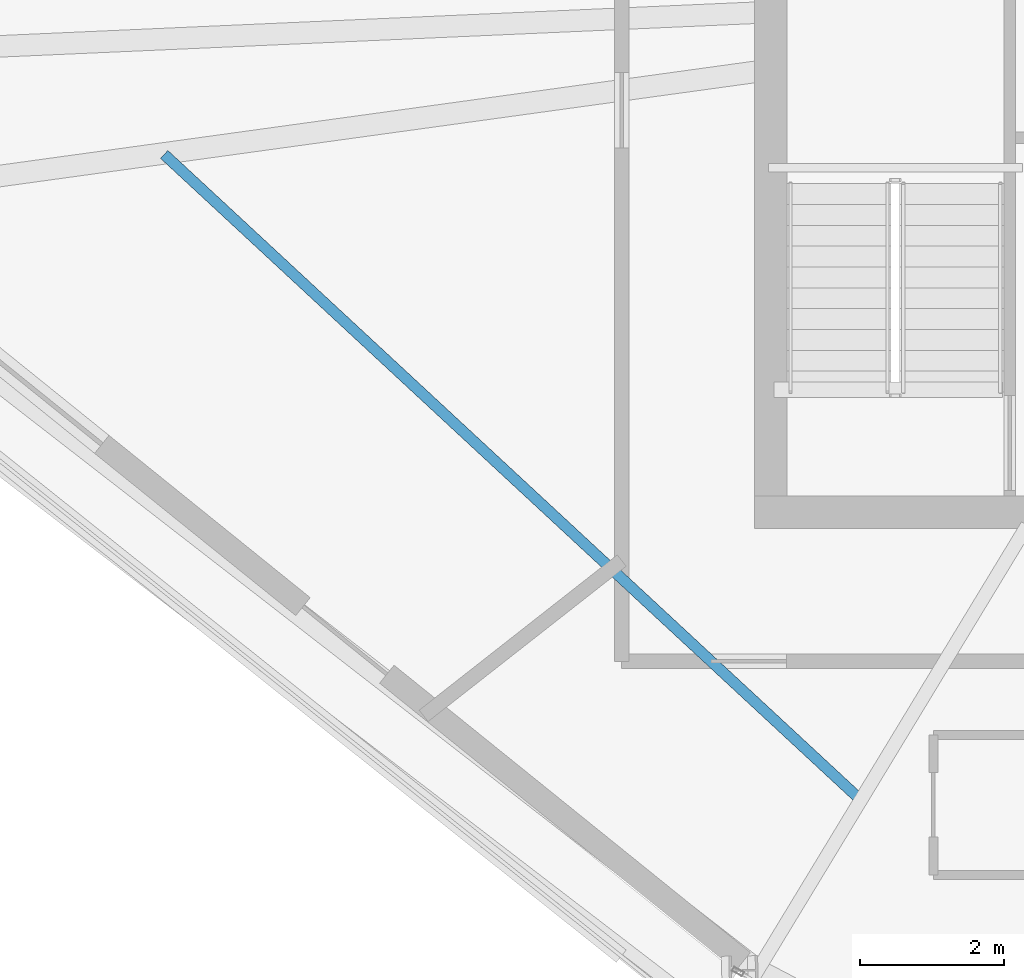
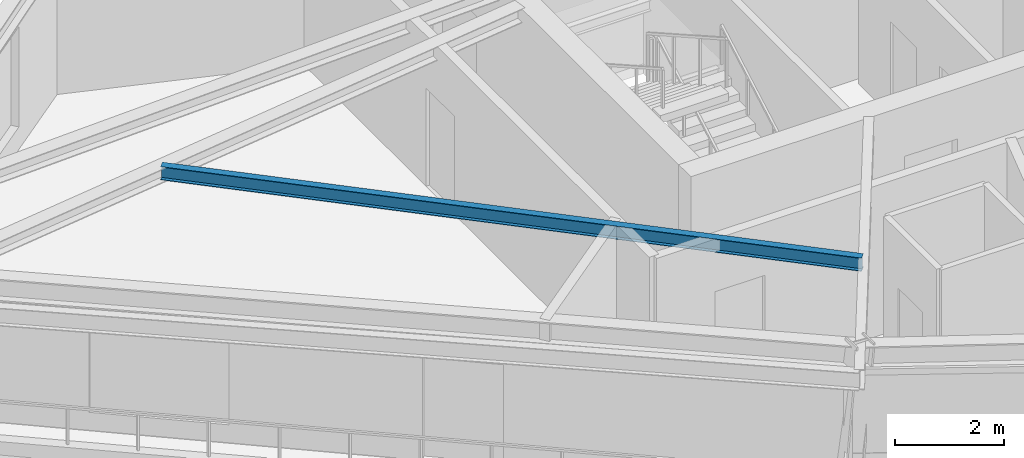
# One storey, part 3 of 15: 1 beam.
"""IFC4 building model written with IfcOpenShell, lengths in metres."""

from ifc_helpers import new_model, si_unit, direction, frame, origin, origin_2d, place, context, subcontext, project, spatial, i_section, extrude, source, transform, mapped, material, material_profile, profile_set, type_object, element, save


model = new_model("IFC4")

# Units and contexts
model_context = context("Model", 3, precision=1e-05, world=origin(), true_north=direction((0.0, 1.0)))
body_context = subcontext(model_context, "Body", "Model", "MODEL_VIEW")
ifc_project = project(units=[si_unit("LENGTHUNIT", "METRE"), si_unit("AREAUNIT", "SQUARE_METRE"), si_unit("VOLUMEUNIT", "CUBIC_METRE"), si_unit("PLANEANGLEUNIT", "RADIAN"), si_unit("MASSUNIT", "GRAM", prefix="KILO")], contexts=[model_context])

# Site, building, storey
site_placement = place(None, origin())
site = spatial("IfcSite", under=ifc_project, at=site_placement, CompositionType="ELEMENT")
building_placement = place(site_placement, origin())
building = spatial("IfcBuilding", under=site, at=building_placement, Name="Olszyna Solenne Hotel", CompositionType="ELEMENT")
storey_placement = place(building_placement, frame((0.0, 0.0, 270.5)))
storey = spatial("IfcBuildingStorey", under=building, at=storey_placement, Name="L72", CompositionType="ELEMENT", Elevation=270.5)

# Beam
ifc_material = material(Name="Steel S355J2", Category="steel")
ifc_material_profile = material_profile(ifc_material, i_section(OverallWidth=0.14990234375, OverallDepth=0.300048828125, WebThickness=0.007080078125, FlangeThickness=0.0107421875, at=origin_2d()), Name="IPE 300", Category="load-bearing")
ifc_profile_set = profile_set([ifc_material_profile], Name="Steel S355J2")
beam_type = type_object("IfcBeamType", Name="JS-02", PredefinedType="JOIST", material=ifc_profile_set)
shared_shape = source(origin(), body_context, "Body", "SweptSolid", [
    extrude(i_section(OverallWidth=0.14990234375, OverallDepth=0.300048828125, WebThickness=0.007080078125, FlangeThickness=0.0107421875, at=origin_2d()), origin(), (0.0, 0.0, 1.0), 13.203125),
])
beam_placement = place(storey_placement, frame((21.430419921875, 24.256591796875, 3.22998046875), z_axis=(0.733437267046, -0.67975714436, 0.0), x_axis=(0.67975714436, 0.733437267046, 0.0)))
element("IfcBeam", 1, at=beam_placement, inside=storey, type_object=beam_type, Name="Secondary composite floor joist JS-02 B-L72-2135", PredefinedType="JOIST", context=body_context, shape_type="MappedRepresentation", body=[
    mapped(shared_shape, transform((0.0, 0.0, 0.0), x_axis=(1.0, 0.0, 0.0), y_axis=(0.0, 1.0, 0.0), z_axis=(0.0, 0.0, 1.0), scale=1.0)),
])

save(model, "model.ifc")
